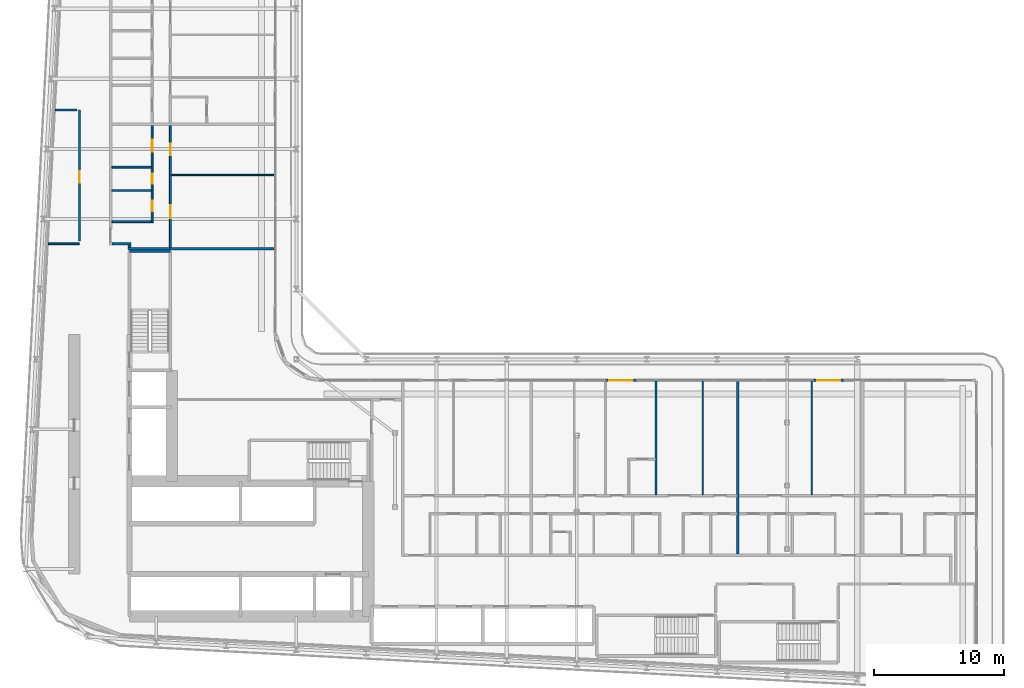
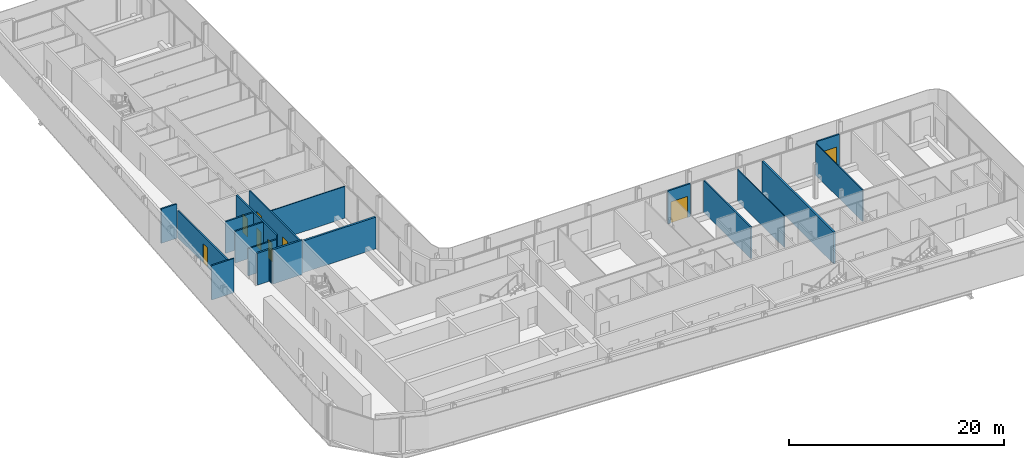
# One storey, part 16 of 28: 19 walls, 8 doors, 8 openings.
"""IFC4 building model written with IfcOpenShell, lengths in metres."""

from ifc_helpers import new_model, si_unit, direction, frame, frame_2d, origin, place, context, subcontext, project, spatial, rectangle, extrude, source, transform, mapped, material, layer, layer_set, type_object, element, fill, save


model = new_model("IFC4")

# Units and contexts
model_context = context("Model", 3, precision=1e-05, world=origin(), true_north=direction((0.0, 1.0)))
body_context = subcontext(model_context, "Body", "Model", "MODEL_VIEW")
ifc_project = project(units=[si_unit("LENGTHUNIT", "METRE"), si_unit("AREAUNIT", "SQUARE_METRE"), si_unit("VOLUMEUNIT", "CUBIC_METRE"), si_unit("PLANEANGLEUNIT", "RADIAN"), si_unit("MASSUNIT", "GRAM", prefix="KILO")], contexts=[model_context])

# Site, building, storey
site_placement = place(None, origin())
site = spatial("IfcSite", under=ifc_project, at=site_placement, CompositionType="ELEMENT")
building_placement = place(site_placement, origin())
building = spatial("IfcBuilding", under=site, at=building_placement, Name="Kheshtan School and Residences Tower", CompositionType="ELEMENT")
storey_placement = place(building_placement, frame((0.0, 0.0, 125.300048828125)))
storey = spatial("IfcBuildingStorey", under=building, at=storey_placement, Name="L29", CompositionType="ELEMENT", Elevation=125.300048828125)

# Walls
ifc_material_1 = material(Name="Gypsum board on steel studs with fire boards", Category="steel")
ifc_layer_1 = layer(ifc_material_1, 0.199951171875)
ifc_layer_set_1 = layer_set([ifc_layer_1], Name="Corridor wall 200")
wall_type_1 = type_object("IfcWallType", Name="Corridor wall 200", PredefinedType="PARTITIONING", material=ifc_layer_set_1)
wall_1_placement = place(storey_placement, frame((33.39990234375, 54.5, 0.0), z_axis=(0.0, 0.0, 1.0), x_axis=(1.0, 0.0, 0.0)))
element("IfcWall", 1, at=wall_1_placement, inside=storey, type_object=wall_type_1, Name="Partition L29-005", PredefinedType="PARTITIONING", context=body_context, shape_type="SweptSolid", body=[
    extrude(rectangle(XDim=1.4501953125, YDim=0.199951171875, at=frame_2d((0.72509765625, 0.0))), origin(), (0.0, 0.0, 1.0), 3.599853515625),
])
wall_2_placement = place(storey_placement, frame((34.75, 54.199951171875, 0.0), z_axis=(0.0, 0.0, 1.0), x_axis=(0.0, 1.0, 0.0)))
element("IfcWall", 2, at=wall_2_placement, inside=storey, type_object=wall_type_1, Name="Partition L29-021", PredefinedType="PARTITIONING", context=body_context, shape_type="SweptSolid", body=[
    extrude(rectangle(XDim=0.199951171875, YDim=0.199951171875, at=frame_2d((0.10009765625, 0.0))), origin(), (0.0, 0.0, 1.0), 3.599853515625),
])

# Wall, opening, door
ifc_material_2 = material(Name="Aluminium frame wall with insulated infill", Category="aluminium")
ifc_layer_2 = layer(ifc_material_2, 0.14990234375)
ifc_layer_set_2 = layer_set([ifc_layer_2], Name="Glazing frame wall 150")
wall_type_2 = type_object("IfcWallType", Name="Glazing frame wall 150", PredefinedType="SOLIDWALL", material=ifc_layer_set_2)
wall_3_placement = place(storey_placement, frame((71.41796875, 43.97509765625, 0.0), z_axis=(0.0, 0.0, 1.0), x_axis=(1.0, 0.0, 0.0)))
wall_3 = element("IfcWall", 3, at=wall_3_placement, inside=storey, type_object=wall_type_2, Name="Balcony door wall L29 12.3", PredefinedType="SOLIDWALL", context=body_context, shape_type="SweptSolid", body=[
    extrude(rectangle(XDim=2.400146484375, YDim=0.14990234375, at=frame_2d((1.2001953125, 0.0))), origin(), (0.0, 0.0, 1.0), 3.75),
])
opening_1_placement = place(wall_3_placement, frame((0.300048828125, 0.0, 0.0)))
opening_1 = element("IfcOpeningElement", 4, at=opening_1_placement, cuts=wall_3, Name="Opening BD", PredefinedType="OPENING", context=body_context, shape_type="SweptSolid", body=[
    extrude(rectangle(XDim=1.800048828125, YDim=2.39990234375, at=frame_2d((0.89990234375, 1.199951171875))), frame((0.0, 0.0849609375, 0.0), z_axis=(0.0, -1.0, 0.0), x_axis=(1.0, 0.0, 0.0)), (0.0, 0.0, 1.0), 0.169921875),
])
ifc_material_3 = material(Name="Clear low-e glass in thermally broken aluminium frame", Category="aluminium")
door_type_1 = type_object("IfcDoorType", Name="Balcony sliding door", OperationType="SLIDING_TO_LEFT", PredefinedType="DOOR", material=ifc_material_3)
shared_shape_1 = source(origin(), body_context, "Body", "SweptSolid", [
    extrude(rectangle(XDim=1.800048828125, YDim=2.39990234375, at=frame_2d((0.89990234375, 1.199951171875))), frame((0.0, 0.02490234375, 0.0), z_axis=(0.0, -1.0, 0.0), x_axis=(1.0, 0.0, 0.0)), (0.0, 0.0, 1.0), 0.050048828125),
])
door_1_placement = place(opening_1_placement, origin())
door_1 = element("IfcDoor", 5, at=door_1_placement, inside=storey, type_object=door_type_1, Name="Balcony door L29 12.3", OperationType="SLIDING_TO_LEFT", OverallHeight=2.39990234375, OverallWidth=1.800048828125, PredefinedType="DOOR", context=body_context, shape_type="MappedRepresentation", body=[
    mapped(shared_shape_1, transform((0.0, 0.0, 0.0), x_axis=(1.0, 0.0, 0.0), y_axis=(0.0, 1.0, 0.0), z_axis=(0.0, 0.0, 1.0), scale=1.0)),
])
fill(opening_1, door_1)

wall_4_placement = place(storey_placement, frame((87.406005859375, 43.97509765625, 0.0), z_axis=(0.0, 0.0, 1.0), x_axis=(1.0, 0.0, 0.0)))
wall_4 = element("IfcWall", 6, at=wall_4_placement, inside=storey, type_object=wall_type_2, Name="Balcony door wall L29 12.4", PredefinedType="SOLIDWALL", context=body_context, shape_type="SweptSolid", body=[
    extrude(rectangle(XDim=2.39990234375, YDim=0.14990234375, at=frame_2d((1.199951171875, 0.0))), origin(), (0.0, 0.0, 1.0), 3.75),
])
opening_2_placement = place(wall_4_placement, frame((0.300048828125, 0.0, 0.0)))
opening_2 = element("IfcOpeningElement", 7, at=opening_2_placement, cuts=wall_4, Name="Opening BD", PredefinedType="OPENING", context=body_context, shape_type="SweptSolid", body=[
    extrude(rectangle(XDim=1.800048828125, YDim=2.39990234375, at=frame_2d((0.89990234375, 1.199951171875))), frame((0.0, 0.0849609375, 0.0), z_axis=(0.0, -1.0, 0.0), x_axis=(1.0, 0.0, 0.0)), (0.0, 0.0, 1.0), 0.169921875),
])
door_2_placement = place(opening_2_placement, origin())
door_2 = element("IfcDoor", 8, at=door_2_placement, inside=storey, type_object=door_type_1, Name="Balcony door L29 12.4", OperationType="SLIDING_TO_LEFT", OverallHeight=2.39990234375, OverallWidth=1.800048828125, PredefinedType="DOOR", context=body_context, shape_type="MappedRepresentation", body=[
    mapped(shared_shape_1, transform((0.0, 0.0, 0.0), x_axis=(1.0, 0.0, 0.0), y_axis=(0.0, 1.0, 0.0), z_axis=(0.0, 0.0, 1.0), scale=1.0)),
])
fill(opening_2, door_2)

# Walls
ifc_material_4 = material(Name="Gypsum board on steel studs", Category="steel")
ifc_layer_3 = layer(ifc_material_4, 0.10009765625)
ifc_layer_set_3 = layer_set([ifc_layer_3], Name="Gypsum partition 100")
wall_type_3 = type_object("IfcWallType", Name="Gypsum partition 100", PredefinedType="PARTITIONING", material=ifc_layer_set_3)
wall_5_placement = place(storey_placement, frame((37.97509765625, 59.800048828125, 0.0), z_axis=(0.0, 0.0, 1.0), x_axis=(1.0, 0.0, 0.0)))
element("IfcWall", 9, at=wall_5_placement, inside=storey, type_object=wall_type_3, Name="Partition L29-036", PredefinedType="PARTITIONING", context=body_context, shape_type="SweptSolid", body=[
    extrude(rectangle(XDim=7.9248046875, YDim=0.10009765625, at=frame_2d((3.96240234375, 0.0))), origin(), (0.0, 0.0, 1.0), 3.599853515625),
])
for number, where, z_axis, x_axis, name in (
    (10, (78.89990234375, 35.175048828125, 0.0), (0.0, 0.0, 1.0), (0.0, 1.0, 0.0), "Partition L29-070"),
    (11, (87.300048828125, 35.175048828125, 0.0), (0.0, 0.0, 1.0), (0.0, 1.0, 0.0), "Partition L29-077"),
):
    element("IfcWall", number, at=place(storey_placement, frame(where, z_axis=z_axis, x_axis=x_axis)), inside=storey, type_object=wall_type_3, Name=name, PredefinedType="PARTITIONING", context=body_context, shape_type="SweptSolid", body=[
        extrude(rectangle(XDim=8.724853515625, YDim=0.10009765625, at=frame_2d((4.3623046875, 0.0))), origin(), (0.0, 0.0, 1.0), 3.599853515625),
    ])
ifc_material_5 = material(Name="Fire-board shaft wall system")
ifc_layer_4 = layer(ifc_material_5, 0.14990234375)
ifc_layer_set_4 = layer_set([ifc_layer_4], Name="Service room wall 150")
wall_type_4 = type_object("IfcWallType", Name="Service room wall 150", PredefinedType="PARTITIONING", material=ifc_layer_set_4)
wall_6_placement = place(storey_placement, frame((28.508056640625, 54.5, 0.0), z_axis=(0.0, 0.0, 1.0), x_axis=(1.0, 0.0, 0.0)))
element("IfcWall", 12, at=wall_6_placement, inside=storey, type_object=wall_type_4, Name="Service room wall", PredefinedType="PARTITIONING", context=body_context, shape_type="SweptSolid", body=[
    extrude(rectangle(XDim=2.391845703125, YDim=0.14990234375, at=frame_2d((1.19580078125, 0.0))), origin(), (0.0, 0.0, 1.0), 3.89990234375),
])

# Wall, opening, door
wall_7_placement = place(storey_placement, frame((30.89990234375, 54.695068359375, 0.0), z_axis=(0.0, 0.0, 1.0), x_axis=(0.0, 1.0, 0.0)))
wall_7 = element("IfcWall", 13, at=wall_7_placement, inside=storey, type_object=wall_type_4, Name="Service room wall", PredefinedType="PARTITIONING", context=body_context, shape_type="SweptSolid", body=[
    extrude(rectangle(XDim=10.10498046875, YDim=0.14990234375, at=frame_2d((5.052490234375, 0.0))), origin(), (0.0, 0.0, 1.0), 3.072021484375),
])
opening_3_placement = place(wall_7_placement, frame((4.5048828125, 0.0, 0.0)))
opening_3 = element("IfcOpeningElement", 14, at=opening_3_placement, cuts=wall_7, Name="Opening SR90", PredefinedType="OPENING", context=body_context, shape_type="SweptSolid", body=[
    extrude(rectangle(XDim=0.89990234375, YDim=2.199951171875, at=frame_2d((0.449951171875, 1.10009765625))), frame((0.0, 0.0849609375, 0.0), z_axis=(0.0, -1.0, 0.0), x_axis=(1.0, 0.0, 0.0)), (0.0, 0.0, 1.0), 0.169921875),
])
ifc_material_6 = material(Name="Steel door leaf, galvanised", Category="steel")
door_type_2 = type_object("IfcDoorType", Name="Service room door 900 steel 90 min", OperationType="SINGLE_SWING_LEFT", PredefinedType="DOOR", material=ifc_material_6)
shared_shape_2 = source(origin(), body_context, "Body", "SweptSolid", [
    extrude(rectangle(XDim=0.89990234375, YDim=2.199951171875, at=frame_2d((0.449951171875, 1.10009765625))), frame((0.0, 0.02490234375, 0.0), z_axis=(0.0, -1.0, 0.0), x_axis=(1.0, 0.0, 0.0)), (0.0, 0.0, 1.0), 0.050048828125),
])
door_3_placement = place(opening_3_placement, origin())
door_3 = element("IfcDoor", 15, at=door_3_placement, inside=storey, type_object=door_type_2, Name="Service room door", OperationType="SINGLE_SWING_LEFT", OverallHeight=2.199951171875, OverallWidth=0.89990234375, PredefinedType="DOOR", context=body_context, shape_type="MappedRepresentation", body=[
    mapped(shared_shape_2, transform((0.0, 0.0, 0.0), x_axis=(1.0, 0.0, 0.0), y_axis=(0.0, 1.0, 0.0), z_axis=(0.0, 0.0, 1.0), scale=1.0)),
])
fill(opening_3, door_3)

# Walls
wall_8_placement = place(storey_placement, frame((29.050048828125, 64.800048828125, 0.0), z_axis=(0.0, 0.0, 1.0), x_axis=(1.0, 0.0, 0.0)))
element("IfcWall", 16, at=wall_8_placement, inside=storey, type_object=wall_type_4, Name="Service room wall", PredefinedType="PARTITIONING", context=body_context, shape_type="SweptSolid", body=[
    extrude(rectangle(XDim=1.655029296875, YDim=0.14990234375, at=frame_2d((0.82763671875, 0.0))), origin(), (0.0, 0.0, 1.0), 3.89990234375),
])
ifc_material_7 = material(Name="Concrete C40/50", Category="concrete")
ifc_layer_5 = layer(ifc_material_7, 0.199951171875)
ifc_layer_set_5 = layer_set([ifc_layer_5], Name="Stair enclosure wall 200 Concrete C40/50")
wall_type_5 = type_object("IfcWallType", Name="Stair enclosure wall 200 Concrete C40/50", PredefinedType="SHEAR", material=ifc_layer_set_5)
wall_9_placement = place(storey_placement, frame((34.75, 53.909912109375, 0.0), z_axis=(0.0, 0.0, 1.0), x_axis=(1.0, 0.0, 0.0)))
element("IfcWall", 17, at=wall_9_placement, inside=storey, type_object=wall_type_5, Name="Stair enclosure wall ST2", PredefinedType="SHEAR", context=body_context, shape_type="SweptSolid", body=[
    extrude(rectangle(XDim=3.14990234375, YDim=0.199951171875, at=frame_2d((1.574951171875, 0.0))), origin(), (0.0, 0.0, 1.0), 3.89990234375),
])
ifc_material_8 = material(Name="Twin gypsum board on steel studs with mineral wool", Category="steel")
ifc_layer_6 = layer(ifc_material_8, 0.199951171875)
ifc_layer_set_6 = layer_set([ifc_layer_6], Name="Unit demising wall 200")
wall_type_6 = type_object("IfcWallType", Name="Unit demising wall 200", PredefinedType="PARTITIONING", material=ifc_layer_set_6)
wall_10_placement = place(storey_placement, frame((34.64990234375, 54.10009765625, 0.0), z_axis=(0.0, 0.0, 1.0), x_axis=(1.0, 0.0, 0.0)))
element("IfcWall", 18, at=wall_10_placement, inside=storey, type_object=wall_type_6, Name="Partition L29-020", PredefinedType="PARTITIONING", context=body_context, shape_type="SweptSolid", body=[
    extrude(rectangle(XDim=11.25, YDim=0.199951171875, at=frame_2d((5.625, 0.0))), origin(), (0.0, 0.0, 1.0), 3.599853515625),
])
wall_11_placement = place(storey_placement, frame((81.60009765625, 30.60009765625, 0.0), z_axis=(0.0, 0.0, 1.0), x_axis=(0.0, 1.0, 0.0)))
element("IfcWall", 19, at=wall_11_placement, inside=storey, type_object=wall_type_6, Name="Partition L29-072", PredefinedType="PARTITIONING", context=body_context, shape_type="SweptSolid", body=[
    extrude(rectangle(XDim=13.2998046875, YDim=0.199951171875, at=frame_2d((6.64990234375, 0.0))), origin(), (0.0, 0.0, 1.0), 3.599853515625),
])
ifc_material_9 = material(Name="Moisture-resistant gypsum board on steel studs", Category="steel")
ifc_layer_7 = layer(ifc_material_9, 0.14990234375)
ifc_layer_set_7 = layer_set([ifc_layer_7], Name="Wet-room partition 150")
wall_type_7 = type_object("IfcWallType", Name="Wet-room partition 150", PredefinedType="PARTITIONING", material=ifc_layer_set_7)
wall_12_placement = place(storey_placement, frame((33.39990234375, 56.199951171875, 0.0), z_axis=(0.0, 0.0, 1.0), x_axis=(1.0, 0.0, 0.0)))
element("IfcWall", 20, at=wall_12_placement, inside=storey, type_object=wall_type_7, Name="Partition L29-006", PredefinedType="PARTITIONING", context=body_context, shape_type="SweptSolid", body=[
    extrude(rectangle(XDim=3.025146484375, YDim=0.14990234375, at=frame_2d((1.5126953125, 0.0))), origin(), (0.0, 0.0, 1.0), 3.072021484375),
])
for number, where, z_axis, x_axis, name in (
    (21, (33.39990234375, 58.60009765625, 0.0), (0.0, 0.0, 1.0), (1.0, 0.0, 0.0), "Partition L29-007"),
    (22, (33.39990234375, 60.39990234375, 0.0), (0.0, 0.0, 1.0), (1.0, 0.0, 0.0), "Partition L29-008"),
):
    element("IfcWall", number, at=place(storey_placement, frame(where, z_axis=z_axis, x_axis=x_axis)), inside=storey, type_object=wall_type_7, Name=name, PredefinedType="PARTITIONING", context=body_context, shape_type="SweptSolid", body=[
        extrude(rectangle(XDim=3.025146484375, YDim=0.14990234375, at=frame_2d((1.5126953125, 0.0))), origin(), (0.0, 0.0, 1.0), 3.599853515625),
    ])

# Wall, openings, doors
wall_13_placement = place(storey_placement, frame((36.5, 56.125, 0.0), z_axis=(0.0, 0.0, 1.0), x_axis=(0.0, 1.0, 0.0)))
wall_13 = element("IfcWall", 23, at=wall_13_placement, inside=storey, type_object=wall_type_7, Name="Partition L29-024", PredefinedType="PARTITIONING", context=body_context, shape_type="SweptSolid", body=[
    extrude(rectangle(XDim=7.47509765625, YDim=0.14990234375, at=frame_2d((3.737548828125, 0.0))), origin(), (0.0, 0.0, 1.0), 3.599853515625),
])
opening_4_placement = place(wall_13_placement, frame((0.875, 0.0, 0.0)))
opening_4 = element("IfcOpeningElement", 24, at=opening_4_placement, cuts=wall_13, Name="Opening D29-033", PredefinedType="OPENING", context=body_context, shape_type="SweptSolid", body=[
    extrude(rectangle(XDim=0.800048828125, YDim=2.10009765625, at=frame_2d((0.39990234375, 1.050048828125))), frame((0.0, 0.0849609375, 0.0), z_axis=(0.0, -1.0, 0.0), x_axis=(1.0, 0.0, 0.0)), (0.0, 0.0, 1.0), 0.169921875),
])
opening_5_placement = place(wall_13_placement, frame((5.47509765625, 0.0, 0.0)))
opening_5 = element("IfcOpeningElement", 25, at=opening_5_placement, cuts=wall_13, Name="Opening D29-036", PredefinedType="OPENING", context=body_context, shape_type="SweptSolid", body=[
    extrude(rectangle(XDim=0.89990234375, YDim=2.10009765625, at=frame_2d((0.449951171875, 1.050048828125))), frame((0.0, 0.0849609375, 0.0), z_axis=(0.0, -1.0, 0.0), x_axis=(1.0, 0.0, 0.0)), (0.0, 0.0, 1.0), 0.169921875),
])
opening_6_placement = place(wall_13_placement, frame((2.97509765625, 0.0, 0.0)))
opening_6 = element("IfcOpeningElement", 26, at=opening_6_placement, cuts=wall_13, Name="Opening D29-038", PredefinedType="OPENING", context=body_context, shape_type="SweptSolid", body=[
    extrude(rectangle(XDim=0.800048828125, YDim=2.10009765625, at=frame_2d((0.39990234375, 1.050048828125))), frame((0.0, 0.0849609375, 0.0), z_axis=(0.0, -1.0, 0.0), x_axis=(1.0, 0.0, 0.0)), (0.0, 0.0, 1.0), 0.169921875),
])
ifc_material_10 = material(Name="Veneered timber door leaf", Category="wood")
door_type_3 = type_object("IfcDoorType", Name="Door 800 x 2100", OperationType="SINGLE_SWING_LEFT", PredefinedType="DOOR", material=ifc_material_10)
shared_shape_3 = source(origin(), body_context, "Body", "SweptSolid", [
    extrude(rectangle(XDim=0.800048828125, YDim=2.10009765625, at=frame_2d((0.39990234375, 1.050048828125))), frame((0.0, 0.02490234375, 0.0), z_axis=(0.0, -1.0, 0.0), x_axis=(1.0, 0.0, 0.0)), (0.0, 0.0, 1.0), 0.050048828125),
])
door_4_placement = place(opening_4_placement, origin())
door_4 = element("IfcDoor", 27, at=door_4_placement, inside=storey, type_object=door_type_3, Name="Door D29-033", OperationType="SINGLE_SWING_LEFT", OverallHeight=2.10009765625, OverallWidth=0.800048828125, PredefinedType="DOOR", context=body_context, shape_type="MappedRepresentation", body=[
    mapped(shared_shape_3, transform((0.0, 0.0, 0.0), x_axis=(1.0, 0.0, 0.0), y_axis=(0.0, 1.0, 0.0), z_axis=(0.0, 0.0, 1.0), scale=1.0)),
])
fill(opening_4, door_4)
door_5_placement = place(opening_6_placement, origin())
door_5 = element("IfcDoor", 28, at=door_5_placement, inside=storey, type_object=door_type_3, Name="Door D29-038", OperationType="SINGLE_SWING_RIGHT", OverallHeight=2.10009765625, OverallWidth=0.800048828125, PredefinedType="DOOR", context=body_context, shape_type="MappedRepresentation", body=[
    mapped(shared_shape_3, transform((0.0, 0.0, 0.0), x_axis=(1.0, 0.0, 0.0), y_axis=(0.0, 1.0, 0.0), z_axis=(0.0, 0.0, 1.0), scale=1.0)),
])
fill(opening_6, door_5)
door_type_4 = type_object("IfcDoorType", Name="Door 900 x 2100", OperationType="SINGLE_SWING_LEFT", PredefinedType="DOOR", material=ifc_material_10)
shared_shape_4 = source(origin(), body_context, "Body", "SweptSolid", [
    extrude(rectangle(XDim=0.89990234375, YDim=2.10009765625, at=frame_2d((0.449951171875, 1.050048828125))), frame((0.0, 0.02490234375, 0.0), z_axis=(0.0, -1.0, 0.0), x_axis=(1.0, 0.0, 0.0)), (0.0, 0.0, 1.0), 0.050048828125),
])
door_6_placement = place(opening_5_placement, origin())
door_6 = element("IfcDoor", 29, at=door_6_placement, inside=storey, type_object=door_type_4, Name="Door D29-036", OperationType="SINGLE_SWING_LEFT", OverallHeight=2.10009765625, OverallWidth=0.89990234375, PredefinedType="DOOR", context=body_context, shape_type="MappedRepresentation", body=[
    mapped(shared_shape_4, transform((0.0, 0.0, 0.0), x_axis=(1.0, 0.0, 0.0), y_axis=(0.0, 1.0, 0.0), z_axis=(0.0, 0.0, 1.0), scale=1.0)),
])
fill(opening_5, door_6)

wall_14_placement = place(storey_placement, frame((37.89990234375, 54.199951171875, 0.0), z_axis=(0.0, 0.0, 1.0), x_axis=(0.0, 1.0, 0.0)))
wall_14 = element("IfcWall", 30, at=wall_14_placement, inside=storey, type_object=wall_type_7, Name="Partition L29-032", PredefinedType="PARTITIONING", context=body_context, shape_type="SweptSolid", body=[
    extrude(rectangle(XDim=9.400146484375, YDim=0.14990234375, at=frame_2d((4.7001953125, 0.0))), origin(), (0.0, 0.0, 1.0), 3.599853515625),
])
opening_7_placement = place(wall_14_placement, frame((7.10009765625, 0.0, 0.0)))
opening_7 = element("IfcOpeningElement", 31, at=opening_7_placement, cuts=wall_14, Name="Opening D29-034", PredefinedType="OPENING", context=body_context, shape_type="SweptSolid", body=[
    extrude(rectangle(XDim=0.89990234375, YDim=2.10009765625, at=frame_2d((0.449951171875, 1.050048828125))), frame((0.0, 0.0849609375, 0.0), z_axis=(0.0, -1.0, 0.0), x_axis=(1.0, 0.0, 0.0)), (0.0, 0.0, 1.0), 0.169921875),
])
opening_8_placement = place(wall_14_placement, frame((2.25, 0.0, 0.0)))
opening_8 = element("IfcOpeningElement", 32, at=opening_8_placement, cuts=wall_14, Name="Opening D29-037", PredefinedType="OPENING", context=body_context, shape_type="SweptSolid", body=[
    extrude(rectangle(XDim=1.0, YDim=2.10009765625, at=frame_2d((0.5, 1.050048828125))), frame((0.0, 0.0849609375, 0.0), z_axis=(0.0, -1.0, 0.0), x_axis=(1.0, 0.0, 0.0)), (0.0, 0.0, 1.0), 0.169921875),
])
door_type_5 = type_object("IfcDoorType", Name="Door 1000 x 2100", OperationType="SINGLE_SWING_LEFT", PredefinedType="DOOR", material=ifc_material_10)
shared_shape_5 = source(origin(), body_context, "Body", "SweptSolid", [
    extrude(rectangle(XDim=1.0, YDim=2.10009765625, at=frame_2d((0.5, 1.050048828125))), frame((0.0, 0.02490234375, 0.0), z_axis=(0.0, -1.0, 0.0), x_axis=(1.0, 0.0, 0.0)), (0.0, 0.0, 1.0), 0.050048828125),
])
door_7_placement = place(opening_8_placement, origin())
door_7 = element("IfcDoor", 33, at=door_7_placement, inside=storey, type_object=door_type_5, Name="Door D29-037", OperationType="SINGLE_SWING_RIGHT", OverallHeight=2.10009765625, OverallWidth=1.0, PredefinedType="DOOR", context=body_context, shape_type="MappedRepresentation", body=[
    mapped(shared_shape_5, transform((0.0, 0.0, 0.0), x_axis=(1.0, 0.0, 0.0), y_axis=(0.0, 1.0, 0.0), z_axis=(0.0, 0.0, 1.0), scale=1.0)),
])
fill(opening_8, door_7)
door_8_placement = place(opening_7_placement, origin())
door_8 = element("IfcDoor", 34, at=door_8_placement, inside=storey, type_object=door_type_4, Name="Door D29-034", OperationType="SINGLE_SWING_RIGHT", OverallHeight=2.10009765625, OverallWidth=0.89990234375, PredefinedType="DOOR", context=body_context, shape_type="MappedRepresentation", body=[
    mapped(shared_shape_4, transform((0.0, 0.0, 0.0), x_axis=(1.0, 0.0, 0.0), y_axis=(0.0, 1.0, 0.0), z_axis=(0.0, 0.0, 1.0), scale=1.0)),
])
fill(opening_7, door_8)

# Wall
wall_15_placement = place(storey_placement, frame((75.300048828125, 35.175048828125, 0.0), z_axis=(0.0, 0.0, 1.0), x_axis=(0.0, 1.0, 0.0)))
element("IfcWall", 35, at=wall_15_placement, inside=storey, type_object=wall_type_7, Name="Partition L29-066", PredefinedType="PARTITIONING", context=body_context, shape_type="SweptSolid", body=[
    extrude(rectangle(XDim=8.724853515625, YDim=0.14990234375, at=frame_2d((4.3623046875, 0.0))), origin(), (0.0, 0.0, 1.0), 3.599853515625),
])

save(model, "model.ifc")
